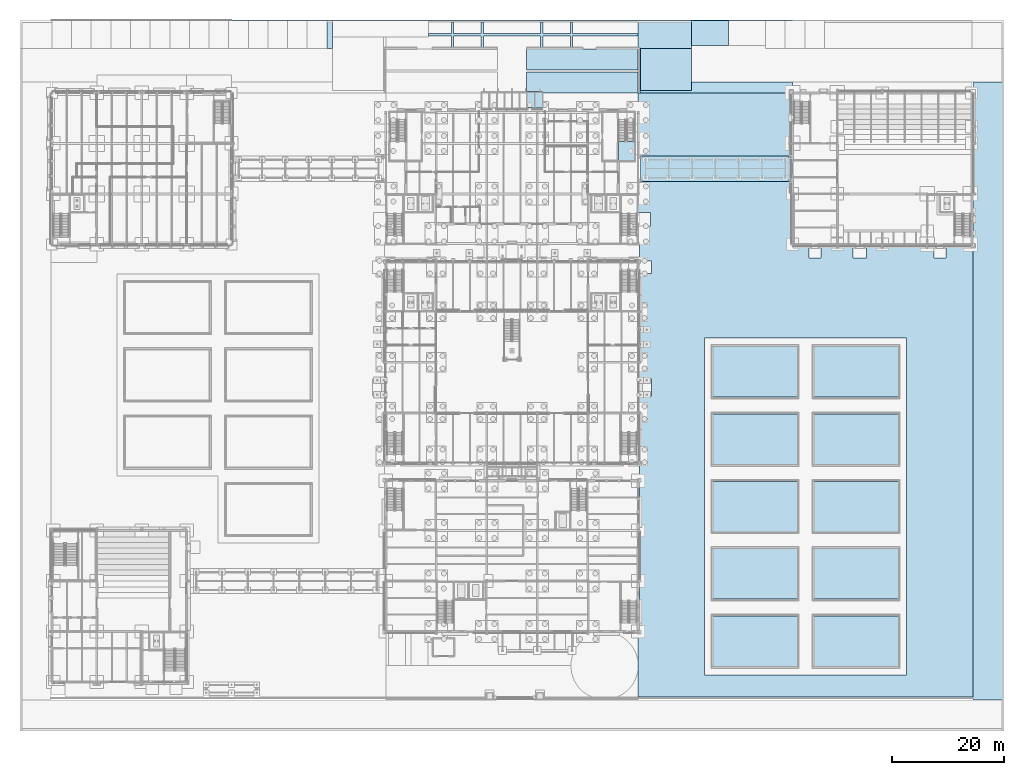
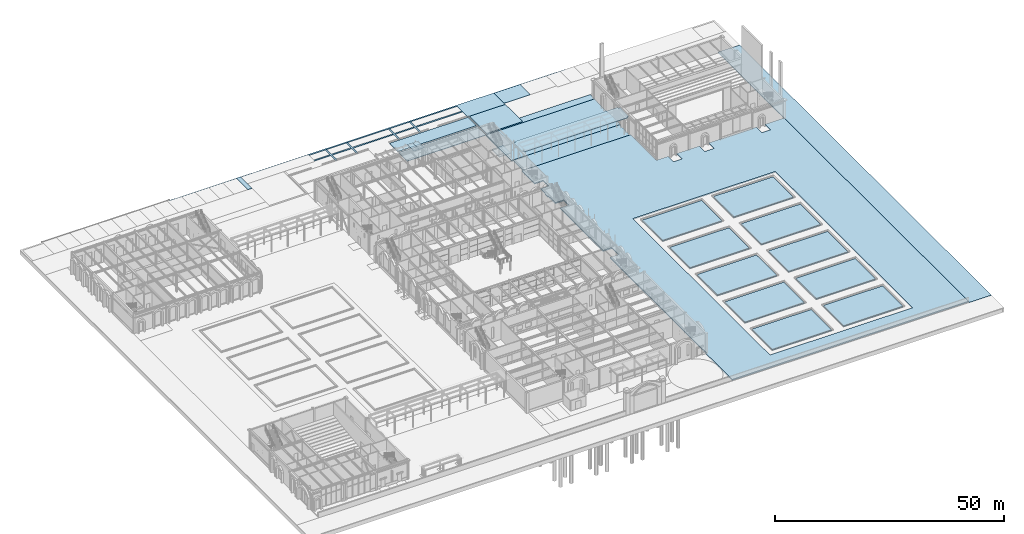
# One storey, part 63 of 126: 22 slabs, 2 plates, 1 element without a shape of its own.
"""IFC4 building model written with IfcOpenShell, lengths in metres."""

from ifc_helpers import new_model, si_unit, direction, frame, origin, origin_2d, place, context, subcontext, project, spatial, polyline, rectangle, outline, extrude, material, layer, layer_set, type_object, element, aggregate, save


model = new_model("IFC4")

# Units and contexts
model_context = context("Model", 3, precision=1e-05, world=origin(), true_north=direction((0.0, 1.0)))
body_context = subcontext(model_context, "Body", "Model", "MODEL_VIEW")
ifc_project = project(units=[si_unit("LENGTHUNIT", "METRE"), si_unit("AREAUNIT", "SQUARE_METRE"), si_unit("VOLUMEUNIT", "CUBIC_METRE"), si_unit("PLANEANGLEUNIT", "RADIAN"), si_unit("MASSUNIT", "GRAM", prefix="KILO")], contexts=[model_context])

# Site, building, storey
site_placement = place(None, origin())
site = spatial("IfcSite", under=ifc_project, at=site_placement, CompositionType="ELEMENT")
building_placement = place(site_placement, origin())
building = spatial("IfcBuilding", under=site, at=building_placement, Name="Kallimachos Central Library", CompositionType="ELEMENT")
storey_placement = place(building_placement, origin())
storey = spatial("IfcBuildingStorey", under=building, at=storey_placement, Name="L00", CompositionType="ELEMENT", Elevation=0.0)

# Slabs
ifc_material_1 = material(Name="Composite slab C30/37 on steel deck", Category="concrete")
ifc_layer_1 = layer(ifc_material_1, 0.14990234375)
ifc_layer_set_1 = layer_set([ifc_layer_1], Name="Arcade roof slab 150")
slab_type_1 = type_object("IfcSlabType", Name="Arcade roof slab 150", PredefinedType="ROOF", material=ifc_layer_set_1)
slab_1_placement = place(storey_placement, frame((0.0, 0.0, 4.64990234375)))
element("IfcSlab", 1, at=slab_1_placement, inside=storey, type_object=slab_type_1, Name="Arcade A2 roof", PredefinedType="ROOF", context=body_context, shape_type="SweptSolid", body=[
    extrude(outline(polyline([(110.824951171875, 98.60009765625), (111.22509765625, 98.60009765625), (111.22509765625, 98.25), (137.300048828125, 98.25), (137.300048828125, 98.60009765625), (137.699951171875, 98.60009765625), (137.699951171875, 102.39990234375), (137.300048828125, 102.39990234375), (137.300048828125, 102.75), (111.22509765625, 102.75), (111.22509765625, 102.39990234375), (110.824951171875, 102.39990234375), (110.824951171875, 98.60009765625)])), origin(), (0.0, 0.0, 1.0), 0.150146484375),
])
ifc_material_2 = material(Name="Concrete C30/37", Category="concrete")
ifc_layer_2 = layer(ifc_material_2, 0.14990234375)
ifc_layer_set_2 = layer_set([ifc_layer_2], Name="Drive paving 150")
slab_type_2 = type_object("IfcSlabType", Name="Drive paving 150", PredefinedType="BASESLAB", material=ifc_layer_set_2)
slab_2_placement = place(storey_placement, frame((0.0, 0.0, -0.14990234375)))
element("IfcSlab", 2, at=slab_2_placement, inside=storey, type_object=slab_type_2, Name="East Access Lane", PredefinedType="BASESLAB", context=body_context, shape_type="SweptSolid", body=[
    extrude(outline(polyline([(170.199951171875, 115.949951171875), (175.699951171875, 115.949951171875), (175.699951171875, 5.800048828125), (170.199951171875, 5.800048828125), (170.199951171875, 115.949951171875)])), origin(), (0.0, 0.0, 1.0), 0.14990234375),
])
slab_3_placement = place(storey_placement, frame((0.0, 0.0, -0.14990234375)))
element("IfcSlab", 3, at=slab_3_placement, inside=storey, type_object=slab_type_2, Name="Turning Area East", PredefinedType="BASESLAB", context=body_context, shape_type="SweptSolid", body=[
    extrude(outline(polyline([(120.0, 114.39990234375), (110.89990234375, 114.39990234375), (110.89990234375, 121.949951171875), (120.0, 121.949951171875), (120.0, 114.39990234375)])), origin(), (0.0, 0.0, 1.0), 0.14990234375),
])
ifc_material_3 = material(Name="Concrete C30/37", Category="concrete")
ifc_layer_3 = layer(ifc_material_3, 0.14990234375)
ifc_layer_set_3 = layer_set([ifc_layer_3], Name="Entrance undercroft paving 150")
slab_type_3 = type_object("IfcSlabType", Name="Entrance undercroft paving 150", PredefinedType="BASESLAB", material=ifc_layer_set_3)
slab_4_placement = place(storey_placement, frame((0.0, 0.0, -0.14990234375)))
element("IfcSlab", 4, at=slab_4_placement, inside=storey, type_object=slab_type_3, Name="Entrance undercroft paving A", PredefinedType="BASESLAB", context=body_context, shape_type="SweptSolid", body=[
    extrude(outline(polyline([(90.60009765625, 114.0), (90.60009765625, 117.699951171875), (110.5, 117.699951171875), (110.5, 114.0), (90.60009765625, 114.0)])), origin(), (0.0, 0.0, 1.0), 0.14990234375),
])
slab_5_placement = place(storey_placement, frame((0.0, 0.0, -0.14990234375)))
element("IfcSlab", 5, at=slab_5_placement, inside=storey, type_object=slab_type_3, Name="Entrance undercroft paving B", PredefinedType="BASESLAB", context=body_context, shape_type="SweptSolid", body=[
    extrude(outline(polyline([(110.5, 121.800048828125), (110.5, 118.10009765625), (90.60009765625, 118.10009765625), (90.60009765625, 121.800048828125), (110.5, 121.800048828125)])), origin(), (0.0, 0.0, 1.0), 0.14990234375),
])
slab_6_placement = place(storey_placement, frame((0.0, 0.0, -0.14990234375)))
element("IfcSlab", 6, at=slab_6_placement, inside=storey, type_object=slab_type_3, Name="Entrance square inlay", PredefinedType="BASESLAB", context=body_context, shape_type="SweptSolid", body=[
    extrude(outline(polyline([(77.199951171875, 124.550048828125), (77.199951171875, 126.60009765625), (77.60009765625, 126.60009765625), (77.60009765625, 124.550048828125), (82.5, 124.550048828125), (82.5, 126.60009765625), (82.89990234375, 126.60009765625), (82.89990234375, 124.550048828125), (93.10009765625, 124.550048828125), (93.10009765625, 126.60009765625), (93.5, 126.60009765625), (93.5, 124.550048828125), (98.39990234375, 124.550048828125), (98.39990234375, 126.60009765625), (98.800048828125, 126.60009765625), (98.800048828125, 124.550048828125), (110.5, 124.550048828125), (110.5, 124.14990234375), (98.800048828125, 124.14990234375), (98.800048828125, 122.10009765625), (98.39990234375, 122.10009765625), (98.39990234375, 124.14990234375), (93.5, 124.14990234375), (93.5, 122.10009765625), (93.10009765625, 122.10009765625), (93.10009765625, 124.14990234375), (82.89990234375, 124.14990234375), (82.89990234375, 122.10009765625), (82.5, 122.10009765625), (82.5, 124.14990234375), (77.60009765625, 124.14990234375), (77.60009765625, 122.10009765625), (77.199951171875, 122.10009765625), (77.199951171875, 124.14990234375), (73.10009765625, 124.14990234375), (73.10009765625, 124.550048828125), (77.199951171875, 124.550048828125)])), origin(), (0.0, 0.0, 1.0), 0.14990234375),
])

# Plates
ifc_material_4 = material(Name="Laminated glass", Category="glass")
ifc_layer_4 = layer(ifc_material_4, 0.030029296875)
ifc_layer_set_4 = layer_set([ifc_layer_4], Name="Laminated glass marquise panel 30")
plate_type = type_object("IfcPlateType", Name="Laminated glass marquise panel 30", PredefinedType="SHEET", material=ifc_layer_set_4)
for number, where, z_axis, x_axis, name in (
    (7, (91.375, 112.77490234375, 4.2001953125), (0.0, 0.0, 1.0), (1.0, 0.0, 0.0), "Entrance canopy glass panel"),
    (8, (92.72509765625, 112.77490234375, 4.2001953125), (0.0, 0.0, 1.0), (1.0, 0.0, 0.0), "Entrance canopy glass panel"),
):
    element("IfcPlate", number, at=place(storey_placement, frame(where, z_axis=z_axis, x_axis=x_axis)), inside=storey, type_object=plate_type, Name=name, PredefinedType="SHEET", context=body_context, shape_type="SweptSolid", body=[
        extrude(rectangle(XDim=1.35009765625, YDim=2.949951171875, at=origin_2d()), origin(), (0.0, 0.0, 1.0), 0.030029296875),
    ])

# Slabs
ifc_material_5 = material(Name="Concrete C30/37", Category="concrete")
ifc_layer_5 = layer(ifc_material_5, 0.14990234375)
ifc_layer_set_5 = layer_set([ifc_layer_5], Name="Parking bay paving 150")
slab_type_4 = type_object("IfcSlabType", Name="Parking bay paving 150", PredefinedType="BASESLAB", material=ifc_layer_set_5)
slab_7_placement = place(storey_placement, frame((0.0, 0.0, -0.14990234375)))
element("IfcSlab", 9, at=slab_7_placement, inside=storey, type_object=slab_type_4, Name="Accessible Parking Bay 15 (van)", PredefinedType="BASESLAB", context=body_context, shape_type="SweptSolid", body=[
    extrude(outline(polyline([(120.0, 122.449951171875), (120.0, 126.949951171875), (126.60009765625, 126.949951171875), (126.60009765625, 122.449951171875), (120.0, 122.449951171875)])), origin(), (0.0, 0.0, 1.0), 0.14990234375),
])
ifc_material_6 = material(Name="Concrete C30/37", Category="concrete")
ifc_layer_6 = layer(ifc_material_6, 0.14990234375)
ifc_layer_set_6 = layer_set([ifc_layer_6], Name="Paving slab 150")
slab_type_5 = type_object("IfcSlabType", Name="Paving slab 150", PredefinedType="BASESLAB", material=ifc_layer_set_6)
slab_8_placement = place(storey_placement, frame((0.0, 0.0, -0.14990234375)))
element("IfcSlab", 10, at=slab_8_placement, inside=storey, type_object=slab_type_5, Name="Court of Honour A", PredefinedType="BASESLAB", context=body_context, shape_type="SweptSolid", body=[
    extrude(outline(polyline([(138.0, 114.0), (110.800048828125, 114.0), (110.800048828125, 122.10009765625), (110.5, 122.10009765625), (110.5, 126.60009765625), (73.10009765625, 126.60009765625), (73.10009765625, 126.949951171875), (56.0, 126.949951171875), (56.0, 121.949951171875), (55.0, 121.949951171875), (55.0, 126.949951171875), (38.0, 126.949951171875), (38.0, 127.0), (138.0, 127.0), (138.0, 126.949951171875), (120.0, 126.949951171875), (120.0, 121.949951171875), (110.89990234375, 121.949951171875), (110.89990234375, 114.39990234375), (120.0, 114.39990234375), (120.0, 115.949951171875), (138.0, 115.949951171875), (138.0, 114.0)])), origin(), (0.0, 0.0, 1.0), 0.14990234375),
])
slab_9_placement = place(storey_placement, frame((0.0, 0.0, -0.14990234375)))
element("IfcSlab", 11, at=slab_9_placement, inside=storey, type_object=slab_type_5, Name="Arcade A2 Paving", PredefinedType="BASESLAB", context=body_context, shape_type="SweptSolid", body=[
    extrude(outline(polyline([(110.824951171875, 98.25), (110.824951171875, 102.75), (137.699951171875, 102.75), (137.699951171875, 98.25), (110.824951171875, 98.25)])), origin(), (0.0, 0.0, 1.0), 0.14990234375),
])
ifc_material_7 = material(Name="Topsoil and planting")
ifc_layer_7 = layer(ifc_material_7, 0.300048828125)
ifc_layer_set_7 = layer_set([ifc_layer_7], Name="Planted ground 300")
slab_type_6 = type_object("IfcSlabType", Name="Planted ground 300", PredefinedType="BASESLAB", material=ifc_layer_set_7)
slab_10_placement = place(storey_placement, frame((0.0, 0.0, -0.300048828125)))
element("IfcSlab", 12, at=slab_10_placement, inside=storey, type_object=slab_type_6, Name="Garden Court Planting 1", PredefinedType="BASESLAB", context=body_context, shape_type="SweptSolid", body=[
    extrude(outline(polyline([(110.5, 98.25), (138.0, 98.25), (138.0, 87.0), (140.89990234375, 87.0), (140.89990234375, 84.60009765625), (143.10009765625, 84.60009765625), (143.10009765625, 87.0), (148.800048828125, 87.0), (148.800048828125, 84.60009765625), (151.199951171875, 84.60009765625), (151.199951171875, 87.0), (163.199951171875, 87.0), (163.199951171875, 84.60009765625), (165.39990234375, 84.60009765625), (165.39990234375, 87.0), (170.199951171875, 87.0), (170.199951171875, 6.300048828125), (110.5, 6.300048828125), (110.5, 17.800048828125), (110.699951171875, 17.800048828125), (110.699951171875, 48.0), (110.64990234375, 48.0), (110.64990234375, 60.0), (112.85009765625, 60.0), (112.85009765625, 63.0), (110.64990234375, 63.0), (110.64990234375, 81.800048828125), (112.853515625, 81.800048828125), (112.853515625, 84.0), (110.699951171875, 84.0), (110.699951171875, 87.0), (110.5, 87.0), (110.5, 88.23095703125), (110.55908203125, 88.296142578125), (110.58251953125, 88.327880859375), (110.602783203125, 88.361328125), (110.61962890625, 88.39697265625), (110.6328125, 88.433837890625), (110.642333984375, 88.471923828125), (110.648193359375, 88.5107421875), (110.64990234375, 88.550048828125), (110.64990234375, 90.300048828125), (112.699951171875, 90.300048828125), (112.699951171875, 92.699951171875), (110.5, 92.699951171875), (110.5, 98.25)]), holes=[polyline([(158.35009765625, 10.27490234375), (158.35009765625, 70.27490234375), (122.35009765625, 70.27490234375), (122.35009765625, 10.27490234375), (158.35009765625, 10.27490234375)])]), origin(), (0.0, 0.0, 1.0), 0.300048828125),
])
slab_11_placement = place(storey_placement, frame((0.0, 0.0, -0.300048828125)))
element("IfcSlab", 13, at=slab_11_placement, inside=storey, type_object=slab_type_6, Name="Garden Court Planting 3", PredefinedType="BASESLAB", context=body_context, shape_type="SweptSolid", body=[
    extrude(outline(polyline([(110.5, 102.75), (110.5, 114.0), (138.0, 114.0), (138.0, 112.76904296875), (137.940673828125, 112.703857421875), (137.91748046875, 112.672119140625), (137.897216796875, 112.638671875), (137.88037109375, 112.60302734375), (137.8671875, 112.566162109375), (137.857666015625, 112.528076171875), (137.851806640625, 112.4892578125), (137.85009765625, 112.449951171875), (137.85009765625, 108.530029296875), (137.851806640625, 108.49072265625), (137.857666015625, 108.451904296875), (137.8671875, 108.413818359375), (137.88037109375, 108.376953125), (137.897216796875, 108.341552734375), (137.91748046875, 108.307861328125), (137.940673828125, 108.276123046875), (138.0, 108.2109375), (138.0, 102.75), (110.5, 102.75)])), origin(), (0.0, 0.0, 1.0), 0.300048828125),
])
slab_12_placement = place(storey_placement, frame((0.0, 0.0, -0.300048828125)))
element("IfcSlab", 14, at=slab_12_placement, inside=storey, type_object=slab_type_6, Name="Garden Court Planting 5", PredefinedType="BASESLAB", context=body_context, shape_type="SweptSolid", body=[
    extrude(outline(polyline([(141.85009765625, 32.77490234375), (156.85009765625, 32.77490234375), (156.85009765625, 23.77490234375), (141.85009765625, 23.77490234375), (141.85009765625, 32.77490234375)])), origin(), (0.0, 0.0, 1.0), 0.300048828125),
])
slab_13_placement = place(storey_placement, frame((0.0, 0.0, -0.300048828125)))
element("IfcSlab", 15, at=slab_13_placement, inside=storey, type_object=slab_type_6, Name="Garden Court Planting 6", PredefinedType="BASESLAB", context=body_context, shape_type="SweptSolid", body=[
    extrude(outline(polyline([(123.85009765625, 23.77490234375), (123.85009765625, 32.77490234375), (138.85009765625, 32.77490234375), (138.85009765625, 23.77490234375), (123.85009765625, 23.77490234375)])), origin(), (0.0, 0.0, 1.0), 0.300048828125),
])
slab_14_placement = place(storey_placement, frame((0.0, 0.0, -0.300048828125)))
element("IfcSlab", 16, at=slab_14_placement, inside=storey, type_object=slab_type_6, Name="Garden Court Planting 10", PredefinedType="BASESLAB", context=body_context, shape_type="SweptSolid", body=[
    extrude(outline(polyline([(141.85009765625, 68.77490234375), (156.85009765625, 68.77490234375), (156.85009765625, 59.77490234375), (141.85009765625, 59.77490234375), (141.85009765625, 68.77490234375)])), origin(), (0.0, 0.0, 1.0), 0.300048828125),
])
slab_15_placement = place(storey_placement, frame((0.0, 0.0, -0.300048828125)))
element("IfcSlab", 17, at=slab_15_placement, inside=storey, type_object=slab_type_6, Name="Garden Court Planting 11", PredefinedType="BASESLAB", context=body_context, shape_type="SweptSolid", body=[
    extrude(outline(polyline([(141.85009765625, 47.77490234375), (141.85009765625, 56.77490234375), (156.85009765625, 56.77490234375), (156.85009765625, 47.77490234375), (141.85009765625, 47.77490234375)])), origin(), (0.0, 0.0, 1.0), 0.300048828125),
])
slab_16_placement = place(storey_placement, frame((0.0, 0.0, -0.300048828125)))
element("IfcSlab", 18, at=slab_16_placement, inside=storey, type_object=slab_type_6, Name="Garden Court Planting 12", PredefinedType="BASESLAB", context=body_context, shape_type="SweptSolid", body=[
    extrude(outline(polyline([(141.85009765625, 35.77490234375), (141.85009765625, 44.77490234375), (156.85009765625, 44.77490234375), (156.85009765625, 35.77490234375), (141.85009765625, 35.77490234375)])), origin(), (0.0, 0.0, 1.0), 0.300048828125),
])
slab_17_placement = place(storey_placement, frame((0.0, 0.0, -0.300048828125)))
element("IfcSlab", 19, at=slab_17_placement, inside=storey, type_object=slab_type_6, Name="Street Verge Planting 2", PredefinedType="BASESLAB", context=body_context, shape_type="SweptSolid", body=[
    extrude(outline(polyline([(141.85009765625, 11.77490234375), (141.85009765625, 20.77490234375), (156.85009765625, 20.77490234375), (156.85009765625, 11.77490234375), (141.85009765625, 11.77490234375)])), origin(), (0.0, 0.0, 1.0), 0.300048828125),
])
slab_18_placement = place(storey_placement, frame((0.0, 0.0, -0.300048828125)))
element("IfcSlab", 20, at=slab_18_placement, inside=storey, type_object=slab_type_6, Name="Garden Court Planting 13", PredefinedType="BASESLAB", context=body_context, shape_type="SweptSolid", body=[
    extrude(outline(polyline([(123.85009765625, 68.77490234375), (138.85009765625, 68.77490234375), (138.85009765625, 59.77490234375), (123.85009765625, 59.77490234375), (123.85009765625, 68.77490234375)])), origin(), (0.0, 0.0, 1.0), 0.300048828125),
])
slab_19_placement = place(storey_placement, frame((0.0, 0.0, -0.300048828125)))
element("IfcSlab", 21, at=slab_19_placement, inside=storey, type_object=slab_type_6, Name="Garden Court Planting 14", PredefinedType="BASESLAB", context=body_context, shape_type="SweptSolid", body=[
    extrude(outline(polyline([(123.85009765625, 47.77490234375), (123.85009765625, 56.77490234375), (138.85009765625, 56.77490234375), (138.85009765625, 47.77490234375), (123.85009765625, 47.77490234375)])), origin(), (0.0, 0.0, 1.0), 0.300048828125),
])
slab_20_placement = place(storey_placement, frame((0.0, 0.0, -0.300048828125)))
element("IfcSlab", 22, at=slab_20_placement, inside=storey, type_object=slab_type_6, Name="Garden Court Planting 15", PredefinedType="BASESLAB", context=body_context, shape_type="SweptSolid", body=[
    extrude(outline(polyline([(123.85009765625, 44.77490234375), (138.85009765625, 44.77490234375), (138.85009765625, 35.77490234375), (123.85009765625, 35.77490234375), (123.85009765625, 44.77490234375)])), origin(), (0.0, 0.0, 1.0), 0.300048828125),
])
slab_21_placement = place(storey_placement, frame((0.0, 0.0, -0.300048828125)))
element("IfcSlab", 23, at=slab_21_placement, inside=storey, type_object=slab_type_6, Name="Street Verge Planting 3", PredefinedType="BASESLAB", context=body_context, shape_type="SweptSolid", body=[
    extrude(outline(polyline([(123.85009765625, 11.77490234375), (123.85009765625, 20.77490234375), (138.85009765625, 20.77490234375), (138.85009765625, 11.77490234375), (123.85009765625, 11.77490234375)])), origin(), (0.0, 0.0, 1.0), 0.300048828125),
])

# Stair, slab
ifc_material_8 = material(Name="Steel S355J2", Category="steel")
stair_type = type_object("IfcStairType", Name="Steel half-turn stair 1350", PredefinedType="HALF_TURN_STAIR", material=ifc_material_8)
stair_placement = place(storey_placement, origin())
stair = element("IfcStair", 24, at=stair_placement, inside=storey, type_object=stair_type, Name="L00 stair ST4", PredefinedType="HALF_TURN_STAIR")
ifc_material_9 = material(Name="Concrete C30/37", Category="concrete")
ifc_layer_8 = layer(ifc_material_9, 0.199951171875)
ifc_layer_set_8 = layer_set([ifc_layer_8], Name="Stair landing slab 200")
slab_type_7 = type_object("IfcSlabType", Name="Stair landing slab 200", PredefinedType="LANDING", material=ifc_layer_set_8)
slab_22_placement = place(storey_placement, frame((0.0, 0.0, 2.5)))
slab_22 = element("IfcSlab", 25, at=slab_22_placement, type_object=slab_type_7, Name="ST4 landing 1", PredefinedType="LANDING", context=body_context, shape_type="SweptSolid", body=[
    extrude(outline(polyline([(106.949951171875, 105.304931640625), (106.949951171875, 101.97509765625), (109.800048828125, 101.97509765625), (109.800048828125, 105.304931640625), (106.949951171875, 105.304931640625)])), origin(), (0.0, 0.0, 1.0), 0.199951171875),
])
aggregate(stair, [slab_22])

save(model, "model.ifc")
